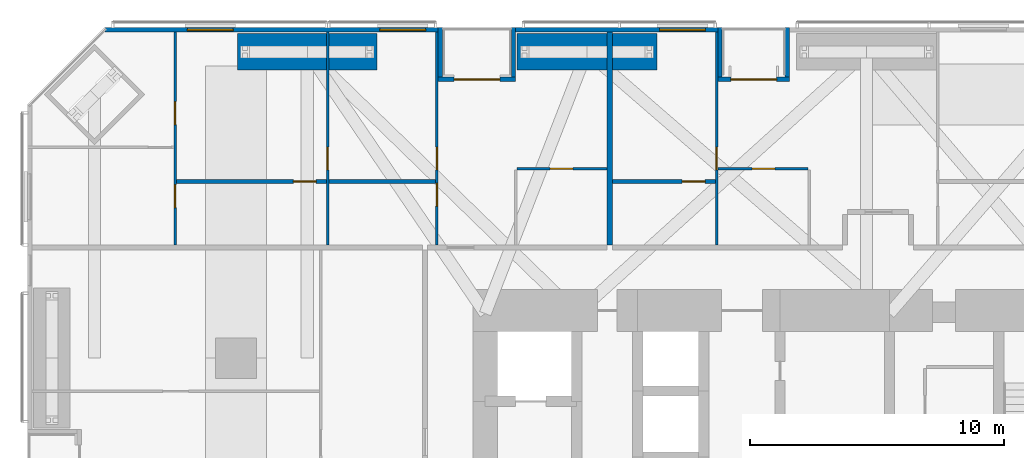
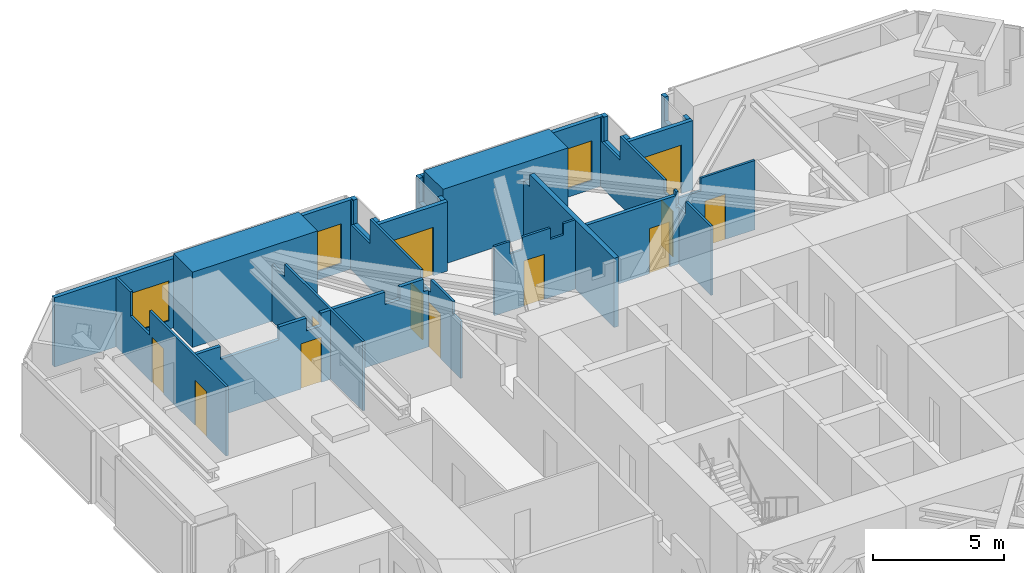
# One storey, part 20 of 22: 20 walls, 12 doors, 3 windows, 15 openings.
"""IFC4 building model written with IfcOpenShell, lengths in metres."""

from ifc_helpers import new_model, si_unit, direction, frame, frame_2d, origin, place, context, subcontext, project, spatial, polyline, rectangle, outline, extrude, material, layer, layer_set, constituent, constituent_set, type_object, element, fill, save


model = new_model("IFC4")

# Units and contexts
model_context = context("Model", 3, precision=1e-05, world=origin(), true_north=direction((0.0, 1.0)))
body_context = subcontext(model_context, "Body", "Model", "MODEL_VIEW")
ifc_project = project(units=[si_unit("LENGTHUNIT", "METRE"), si_unit("AREAUNIT", "SQUARE_METRE"), si_unit("VOLUMEUNIT", "CUBIC_METRE"), si_unit("PLANEANGLEUNIT", "RADIAN"), si_unit("MASSUNIT", "GRAM", prefix="KILO")], contexts=[model_context])

# Site, building, storey
site_placement = place(None, origin())
site = spatial("IfcSite", under=ifc_project, at=site_placement, CompositionType="ELEMENT")
building_placement = place(site_placement, origin())
building = spatial("IfcBuilding", under=site, at=building_placement, Name="Jalousie Tower", CompositionType="ELEMENT")
storey_placement = place(building_placement, frame((0.0, 0.0, 71.25)))
storey = spatial("IfcBuildingStorey", under=building, at=storey_placement, Name="L19", CompositionType="ELEMENT", Elevation=71.25)

# Wall, opening, door
ifc_material_1 = material(Name="Concrete block ASTM C90", Category="concrete")
ifc_constituent_1 = constituent(ifc_material_1, Name="Body")
ifc_material_2 = material(Name="Render")
ifc_constituent_2 = constituent(ifc_material_2, Name="Finish")
ifc_constituent_set_1 = constituent_set(constituents=[ifc_constituent_1, ifc_constituent_2])
wall_type_1 = type_object("IfcWallType", Name="BATHROOM WALL 150", PredefinedType="PLUMBINGWALL", material=ifc_constituent_set_1)
wall_1_placement = place(storey_placement, frame((7.85009765625, 31.949951171875, 0.0), z_axis=(0.0, 0.0, 1.0), x_axis=(1.0, 0.0, 0.0)))
wall_1 = element("IfcWall", 1, at=wall_1_placement, inside=storey, type_object=wall_type_1, Name="Bathroom Wall 150 L19", PredefinedType="PLUMBINGWALL", context=body_context, shape_type="SweptSolid", body=[
    extrude(outline(polyline([(0.0, 0.0), (5.89990234375, 0.0), (5.89990234375, 3.219970703125), (5.473876953125, 3.219970703125), (5.473876953125, 2.62060546875), (4.826171875, 2.62060546875), (4.826171875, 3.219970703125), (3.635009765625, 3.219970703125), (3.635009765625, 2.6201171875), (1.06494140625, 2.6201171875), (1.06494140625, 3.219970703125), (0.0, 3.219970703125), (0.0, 0.0)])), frame((0.0, 0.074951171875, 0.0), z_axis=(0.0, -1.0, 0.0), x_axis=(1.0, 0.0, 0.0)), (0.0, 0.0, 1.0), 0.14990234375),
])
opening_1_placement = place(wall_1_placement, frame((4.60009765625, 0.0, 0.0)))
opening_1 = element("IfcOpeningElement", 2, at=opening_1_placement, cuts=wall_1, Name="Opening D3", PredefinedType="OPENING", context=body_context, shape_type="SweptSolid", body=[
    extrude(rectangle(XDim=0.89990234375, YDim=2.10009765625, at=frame_2d((0.449951171875, 1.050048828125))), frame((0.0, 0.0849609375, 0.0), z_axis=(0.0, -1.0, 0.0), x_axis=(1.0, 0.0, 0.0)), (0.0, 0.0, 1.0), 0.169921875),
])
ifc_material_3 = material(Name="Timber door", Category="wood")
door_type_1 = type_object("IfcDoorType", Name="BATHROOM DOOR 900", OperationType="SINGLE_SWING_LEFT", PredefinedType="DOOR", material=ifc_material_3)
door_1_placement = place(opening_1_placement, frame((0.89990234375, 0.0, 0.0), z_axis=(0.0, 0.0, 1.0), x_axis=(-1.0, 0.0, 0.0)))
door_1 = element("IfcDoor", 3, at=door_1_placement, inside=storey, type_object=door_type_1, Name="Apartment 1903 bedroom 2 bathroom door", OperationType="SINGLE_SWING_LEFT", OverallHeight=2.10009765625, OverallWidth=0.89990234375, PredefinedType="DOOR", context=body_context, shape_type="SweptSolid", body=[
    extrude(rectangle(XDim=0.89990234375, YDim=2.10009765625, at=frame_2d((0.449951171875, 1.050048828125))), frame((0.0, 0.02490234375, 0.0), z_axis=(0.0, -1.0, 0.0), x_axis=(1.0, 0.0, 0.0)), (0.0, 0.0, 1.0), 0.050048828125),
])
fill(opening_1, door_1)

# Wall
wall_2_placement = place(storey_placement, frame((13.85009765625, 31.949951171875, 0.0), z_axis=(0.0, 0.0, 1.0), x_axis=(1.0, 0.0, 0.0)))
element("IfcWall", 4, at=wall_2_placement, inside=storey, type_object=wall_type_1, Name="Bathroom Wall 150 L19", PredefinedType="PLUMBINGWALL", context=body_context, shape_type="SweptSolid", body=[
    extrude(outline(polyline([(0.0, 0.0), (4.199951171875, 0.0), (4.199951171875, 2.640869140625), (3.982421875, 2.640869140625), (3.982421875, 3.219970703125), (2.95263671875, 3.219970703125), (2.95263671875, 2.640869140625), (2.279541015625, 2.640869140625), (2.279541015625, 3.219970703125), (0.0, 3.219970703125), (0.0, 0.0)])), frame((0.0, 0.074951171875, 0.0), z_axis=(0.0, -1.0, 0.0), x_axis=(1.0, 0.0, 0.0)), (0.0, 0.0, 1.0), 0.14990234375),
])

# Wall, opening, door
wall_3_placement = place(storey_placement, frame((25.0, 31.949951171875, 0.0), z_axis=(0.0, 0.0, 1.0), x_axis=(1.0, 0.0, 0.0)))
wall_3 = element("IfcWall", 5, at=wall_3_placement, inside=storey, type_object=wall_type_1, Name="Bathroom Wall 150 L19", PredefinedType="PLUMBINGWALL", context=body_context, shape_type="SweptSolid", body=[
    extrude(outline(polyline([(0.0, 0.0), (4.050048828125, 0.0), (4.050048828125, 2.640869140625), (3.919921875, 2.640869140625), (3.919921875, 3.219970703125), (0.0, 3.219970703125), (0.0, 0.0)])), frame((0.0, 0.074951171875, 0.0), z_axis=(0.0, -1.0, 0.0), x_axis=(1.0, 0.0, 0.0)), (0.0, 0.0, 1.0), 0.14990234375),
])
opening_2_placement = place(wall_3_placement, frame((2.75, 0.0, 0.0)))
opening_2 = element("IfcOpeningElement", 6, at=opening_2_placement, cuts=wall_3, Name="Opening D3", PredefinedType="OPENING", context=body_context, shape_type="SweptSolid", body=[
    extrude(rectangle(XDim=0.89990234375, YDim=2.10009765625, at=frame_2d((0.449951171875, 1.050048828125))), frame((0.0, 0.0849609375, 0.0), z_axis=(0.0, -1.0, 0.0), x_axis=(1.0, 0.0, 0.0)), (0.0, 0.0, 1.0), 0.169921875),
])
door_2_placement = place(opening_2_placement, frame((0.89990234375, 0.0, 0.0), z_axis=(0.0, 0.0, 1.0), x_axis=(-1.0, 0.0, 0.0)))
door_2 = element("IfcDoor", 7, at=door_2_placement, inside=storey, type_object=door_type_1, Name="Apartment 1904 bedroom 1 bathroom door", OperationType="SINGLE_SWING_LEFT", OverallHeight=2.10009765625, OverallWidth=0.89990234375, PredefinedType="DOOR", context=body_context, shape_type="SweptSolid", body=[
    extrude(rectangle(XDim=0.89990234375, YDim=2.10009765625, at=frame_2d((0.449951171875, 1.050048828125))), frame((0.0, 0.02490234375, 0.0), z_axis=(0.0, -1.0, 0.0), x_axis=(1.0, 0.0, 0.0)), (0.0, 0.0, 1.0), 0.050048828125),
])
fill(opening_2, door_2)

# Wall, opening, window
ifc_material_4 = material(Name="Concrete f'c 40 MPa", Category="concrete")
ifc_constituent_3 = constituent(ifc_material_4, Name="Body")
ifc_material_5 = material(Name="Render, pastel coral")
ifc_constituent_4 = constituent(ifc_material_5, Name="Finish")
ifc_constituent_set_2 = constituent_set(constituents=[ifc_constituent_3, ifc_constituent_4])
wall_type_2 = type_object("IfcWallType", Name="EXTERNAL WALL 175 CORAL RENDER", PredefinedType="SOLIDWALL", material=ifc_constituent_set_2)
wall_4_placement = place(storey_placement, frame((29.14990234375, 37.91259765625, 0.0), z_axis=(0.0, 0.0, 1.0), x_axis=(-1.0, 0.0, 0.0)))
wall_4 = element("IfcWall", 8, at=wall_4_placement, inside=storey, type_object=wall_type_2, Name="External Wall 175 Coral Render L19", PredefinedType="SOLIDWALL", context=body_context, shape_type="SweptSolid", body=[
    extrude(rectangle(XDim=7.949951171875, YDim=0.175048828125, at=frame_2d((3.97509765625, 0.0))), origin(), (0.0, 0.0, 1.0), 3.219970703125),
])
opening_3_placement = place(wall_4_placement, frame((0.489990234375, 0.0, 0.39990234375)))
opening_3 = element("IfcOpeningElement", 9, at=opening_3_placement, cuts=wall_4, Name="Opening W-BED185", PredefinedType="OPENING", context=body_context, shape_type="SweptSolid", body=[
    extrude(rectangle(XDim=1.800048828125, YDim=1.85009765625, at=frame_2d((0.89990234375, 0.925048828125))), frame((0.0, 0.097412109375, 0.0), z_axis=(0.0, -1.0, 0.0), x_axis=(1.0, 0.0, 0.0)), (0.0, 0.0, 1.0), 0.195068359375),
])
ifc_material_6 = material(Name="Aluminium frame, impact-rated glazing", Category="aluminium")
window_type = type_object("IfcWindowType", Name="WINDOW BED 1800x1850", PartitioningType="SINGLE_PANEL", PredefinedType="WINDOW", material=ifc_material_6)
window_1_placement = place(opening_3_placement, origin())
window_1 = element("IfcWindow", 10, at=window_1_placement, inside=storey, type_object=window_type, Name="Apartment 1904 bedroom 1 window", OverallHeight=1.85009765625, OverallWidth=1.800048828125, PartitioningType="SINGLE_PANEL", PredefinedType="WINDOW", context=body_context, shape_type="SweptSolid", body=[
    extrude(rectangle(XDim=1.800048828125, YDim=1.85009765625, at=frame_2d((0.89990234375, 0.925048828125))), frame((0.0, 0.030029296875, 0.0), z_axis=(0.0, -1.0, 0.0), x_axis=(1.0, 0.0, 0.0)), (0.0, 0.0, 1.0), 0.06005859375),
])
fill(opening_3, window_1)

# Wall, openings, windows
wall_5_placement = place(storey_placement, frame((18.14990234375, 37.91259765625, 0.0), z_axis=(0.0, 0.0, 1.0), x_axis=(-1.0, 0.0, 0.0)))
wall_5 = element("IfcWall", 11, at=wall_5_placement, inside=storey, type_object=wall_type_2, Name="External Wall 175 Coral Render L19", PredefinedType="SOLIDWALL", context=body_context, shape_type="SweptSolid", body=[
    extrude(rectangle(XDim=13.0986328125, YDim=0.175048828125, at=frame_2d((6.54931640625, 0.0))), origin(), (0.0, 0.0, 1.0), 3.219970703125),
])
opening_4_placement = place(wall_5_placement, frame((0.492431640625, 0.0, 0.39990234375)))
opening_4 = element("IfcOpeningElement", 12, at=opening_4_placement, cuts=wall_5, Name="Opening W-BED185", PredefinedType="OPENING", context=body_context, shape_type="SweptSolid", body=[
    extrude(rectangle(XDim=1.800048828125, YDim=1.85009765625, at=frame_2d((0.89990234375, 0.925048828125))), frame((0.0, 0.097412109375, 0.0), z_axis=(0.0, -1.0, 0.0), x_axis=(1.0, 0.0, 0.0)), (0.0, 0.0, 1.0), 0.195068359375),
])
opening_5_placement = place(wall_5_placement, frame((8.06494140625, 0.0, 0.39990234375)))
opening_5 = element("IfcOpeningElement", 13, at=opening_5_placement, cuts=wall_5, Name="Opening W-BED185", PredefinedType="OPENING", context=body_context, shape_type="SweptSolid", body=[
    extrude(rectangle(XDim=1.800048828125, YDim=1.85009765625, at=frame_2d((0.89990234375, 0.925048828125))), frame((0.0, 0.097412109375, 0.0), z_axis=(0.0, -1.0, 0.0), x_axis=(1.0, 0.0, 0.0)), (0.0, 0.0, 1.0), 0.195068359375),
])
window_2_placement = place(opening_4_placement, origin())
window_2 = element("IfcWindow", 14, at=window_2_placement, inside=storey, type_object=window_type, Name="Apartment 1903 bedroom 3 window", OverallHeight=1.85009765625, OverallWidth=1.800048828125, PartitioningType="SINGLE_PANEL", PredefinedType="WINDOW", context=body_context, shape_type="SweptSolid", body=[
    extrude(rectangle(XDim=1.800048828125, YDim=1.85009765625, at=frame_2d((0.89990234375, 0.925048828125))), frame((0.0, 0.030029296875, 0.0), z_axis=(0.0, -1.0, 0.0), x_axis=(1.0, 0.0, 0.0)), (0.0, 0.0, 1.0), 0.06005859375),
])
fill(opening_4, window_2)
window_3_placement = place(opening_5_placement, origin())
window_3 = element("IfcWindow", 15, at=window_3_placement, inside=storey, type_object=window_type, Name="Apartment 1903 bedroom 2 window", OverallHeight=1.85009765625, OverallWidth=1.800048828125, PartitioningType="SINGLE_PANEL", PredefinedType="WINDOW", context=body_context, shape_type="SweptSolid", body=[
    extrude(rectangle(XDim=1.800048828125, YDim=1.85009765625, at=frame_2d((0.89990234375, 0.925048828125))), frame((0.0, 0.030029296875, 0.0), z_axis=(0.0, -1.0, 0.0), x_axis=(1.0, 0.0, 0.0)), (0.0, 0.0, 1.0), 0.06005859375),
])
fill(opening_5, window_3)

# Wall, opening, door
wall_6_placement = place(storey_placement, frame((31.97509765625, 35.96240234375, 0.0), z_axis=(0.0, 0.0, 1.0), x_axis=(-1.0, 0.0, 0.0)))
wall_6 = element("IfcWall", 16, at=wall_6_placement, inside=storey, type_object=wall_type_2, Name="External Wall 175 Coral Render L19", PredefinedType="SOLIDWALL", context=body_context, shape_type="SweptSolid", body=[
    extrude(rectangle(XDim=2.8251953125, YDim=0.175048828125, at=frame_2d((1.41259765625, 0.0))), origin(), (0.0, 0.0, 1.0), 3.219970703125),
])
opening_6_placement = place(wall_6_placement, frame((0.512451171875, 0.0, 0.0)))
opening_6 = element("IfcOpeningElement", 17, at=opening_6_placement, cuts=wall_6, Name="Opening D-BAL22", PredefinedType="OPENING", context=body_context, shape_type="SweptSolid", body=[
    extrude(rectangle(XDim=1.800048828125, YDim=2.25, at=frame_2d((0.89990234375, 1.125))), frame((0.0, 0.097412109375, 0.0), z_axis=(0.0, -1.0, 0.0), x_axis=(1.0, 0.0, 0.0)), (0.0, 0.0, 1.0), 0.195068359375),
])
ifc_material_7 = material(Name="Aluminium frame, impact-rated glazing", Category="aluminium")
door_type_2 = type_object("IfcDoorType", Name="BALCONY DOOR 1800x2250", OperationType="SLIDING_TO_LEFT", PredefinedType="DOOR", material=ifc_material_7)
door_3_placement = place(opening_6_placement, origin())
door_3 = element("IfcDoor", 18, at=door_3_placement, inside=storey, type_object=door_type_2, Name="Apartment 1904 living and dining room loggia door", OperationType="SLIDING_TO_LEFT", OverallHeight=2.25, OverallWidth=1.800048828125, PredefinedType="DOOR", context=body_context, shape_type="SweptSolid", body=[
    extrude(rectangle(XDim=1.800048828125, YDim=2.25, at=frame_2d((0.89990234375, 1.125))), frame((0.0, 0.02490234375, 0.0), z_axis=(0.0, -1.0, 0.0), x_axis=(1.0, 0.0, 0.0)), (0.0, 0.0, 1.0), 0.050048828125),
])
fill(opening_6, door_3)

# Walls
for number, where, z_axis, x_axis, name in (
    (19, (31.887451171875, 38.0, 0.0), (0.0, 0.0, 1.0), (0.0, -1.0, 0.0), "External Wall 175 Coral Render L19"),
    (20, (29.237548828125, 38.0, 0.0), (0.0, 0.0, 1.0), (0.0, -1.0, 0.0), "External Wall 175 Coral Render L19"),
):
    element("IfcWall", number, at=place(storey_placement, frame(where, z_axis=z_axis, x_axis=x_axis)), inside=storey, type_object=wall_type_2, Name=name, PredefinedType="SOLIDWALL", context=body_context, shape_type="SweptSolid", body=[
        extrude(outline(polyline([(0.0, 0.0), (1.949951171875, 0.0), (1.949951171875, 3.219970703125), (1.64990234375, 3.219970703125), (1.64990234375, 2.10009765625), (0.25, 2.10009765625), (0.25, 3.219970703125), (0.0, 3.219970703125), (0.0, 0.0)])), frame((0.0, 0.08740234375, 0.0), z_axis=(0.0, -1.0, 0.0), x_axis=(1.0, 0.0, 0.0)), (0.0, 0.0, 1.0), 0.175048828125),
    ])

# Wall, opening, door
wall_7_placement = place(storey_placement, frame((21.199951171875, 35.96240234375, 0.0), z_axis=(0.0, 0.0, 1.0), x_axis=(-1.0, 0.0, 0.0)))
wall_7 = element("IfcWall", 21, at=wall_7_placement, inside=storey, type_object=wall_type_2, Name="External Wall 175 Coral Render L19", PredefinedType="SOLIDWALL", context=body_context, shape_type="SweptSolid", body=[
    extrude(rectangle(XDim=3.050048828125, YDim=0.175048828125, at=frame_2d((1.52490234375, 0.0))), origin(), (0.0, 0.0, 1.0), 3.219970703125),
])
opening_7_placement = place(wall_7_placement, frame((0.625, 0.0, 0.0)))
opening_7 = element("IfcOpeningElement", 22, at=opening_7_placement, cuts=wall_7, Name="Opening D-BAL22", PredefinedType="OPENING", context=body_context, shape_type="SweptSolid", body=[
    extrude(rectangle(XDim=1.800048828125, YDim=2.25, at=frame_2d((0.89990234375, 1.125))), frame((0.0, 0.097412109375, 0.0), z_axis=(0.0, -1.0, 0.0), x_axis=(1.0, 0.0, 0.0)), (0.0, 0.0, 1.0), 0.195068359375),
])
door_4_placement = place(opening_7_placement, origin())
door_4 = element("IfcDoor", 23, at=door_4_placement, inside=storey, type_object=door_type_2, Name="Apartment 1903 living and dining room loggia door", OperationType="SLIDING_TO_LEFT", OverallHeight=2.25, OverallWidth=1.800048828125, PredefinedType="DOOR", context=body_context, shape_type="SweptSolid", body=[
    extrude(rectangle(XDim=1.800048828125, YDim=2.25, at=frame_2d((0.89990234375, 1.125))), frame((0.0, 0.02490234375, 0.0), z_axis=(0.0, -1.0, 0.0), x_axis=(1.0, 0.0, 0.0)), (0.0, 0.0, 1.0), 0.050048828125),
])
fill(opening_7, door_4)

# Walls
for number, where, z_axis, x_axis, name in (
    (24, (21.112548828125, 38.0, 0.0), (0.0, 0.0, 1.0), (0.0, -1.0, 0.0), "External Wall 175 Coral Render L19"),
    (25, (18.237548828125, 38.0, 0.0), (0.0, 0.0, 1.0), (0.0, -1.0, 0.0), "External Wall 175 Coral Render L19"),
):
    element("IfcWall", number, at=place(storey_placement, frame(where, z_axis=z_axis, x_axis=x_axis)), inside=storey, type_object=wall_type_2, Name=name, PredefinedType="SOLIDWALL", context=body_context, shape_type="SweptSolid", body=[
        extrude(outline(polyline([(0.0, 0.0), (1.949951171875, 0.0), (1.949951171875, 3.219970703125), (1.64990234375, 3.219970703125), (1.64990234375, 2.10009765625), (0.25, 2.10009765625), (0.25, 3.219970703125), (0.0, 3.219970703125), (0.0, 0.0)])), frame((0.0, 0.08740234375, 0.0), z_axis=(0.0, -1.0, 0.0), x_axis=(1.0, 0.0, 0.0)), (0.0, 0.0, 1.0), 0.175048828125),
    ])

# Wall, openings, doors
ifc_material_8 = material(Name="Gypsum board", Category="gypsum")
ifc_constituent_5 = constituent(ifc_material_8, Name="Body")
ifc_material_9 = material(Name="Light-gauge steel studs ASTM A653 SS Grade 33", Category="steel")
ifc_constituent_6 = constituent(ifc_material_9, Name="Framing")
ifc_constituent_set_3 = constituent_set(constituents=[ifc_constituent_5, ifc_constituent_6])
wall_type_3 = type_object("IfcWallType", Name="PARTITION 100", PredefinedType="PARTITIONING", material=ifc_constituent_set_3)
wall_8_placement = place(storey_placement, frame((7.800048828125, 37.824951171875, 0.0), z_axis=(0.0, 0.0, 1.0), x_axis=(0.0, -1.0, 0.0)))
wall_8 = element("IfcWall", 26, at=wall_8_placement, inside=storey, type_object=wall_type_3, Name="Partition 100 L19", PredefinedType="PARTITIONING", context=body_context, shape_type="SweptSolid", body=[
    extrude(outline(polyline([(0.0, 0.0), (8.375, 0.0), (8.375, 3.219970703125), (2.543701171875, 3.219970703125), (2.543701171875, 2.10009765625), (1.095703125, 2.10009765625), (1.095703125, 3.219970703125), (0.0, 3.219970703125), (0.0, 0.0)])), frame((0.0, 0.050048828125, 0.0), z_axis=(0.0, -1.0, 0.0), x_axis=(1.0, 0.0, 0.0)), (0.0, 0.0, 1.0), 0.10009765625),
])
opening_8_placement = place(wall_8_placement, frame((2.736328125, 0.0, 0.0)))
opening_8 = element("IfcOpeningElement", 27, at=opening_8_placement, cuts=wall_8, Name="Opening D2", PredefinedType="OPENING", context=body_context, shape_type="SweptSolid", body=[
    extrude(rectangle(XDim=0.89990234375, YDim=2.10009765625, at=frame_2d((0.449951171875, 1.050048828125))), frame((0.0, 0.06005859375, 0.0), z_axis=(0.0, -1.0, 0.0), x_axis=(1.0, 0.0, 0.0)), (0.0, 0.0, 1.0), 0.1201171875),
])
opening_9_placement = place(wall_8_placement, frame((6.005615234375, 0.0, 0.0)))
opening_9 = element("IfcOpeningElement", 28, at=opening_9_placement, cuts=wall_8, Name="Opening D3", PredefinedType="OPENING", context=body_context, shape_type="SweptSolid", body=[
    extrude(rectangle(XDim=0.89990234375, YDim=2.10009765625, at=frame_2d((0.449951171875, 1.050048828125))), frame((0.0, 0.06005859375, 0.0), z_axis=(0.0, -1.0, 0.0), x_axis=(1.0, 0.0, 0.0)), (0.0, 0.0, 1.0), 0.1201171875),
])
door_5_placement = place(opening_9_placement, origin())
door_5 = element("IfcDoor", 29, at=door_5_placement, inside=storey, type_object=door_type_1, Name="Apartment 1903 bedroom 1 bathroom door", OperationType="SINGLE_SWING_LEFT", OverallHeight=2.10009765625, OverallWidth=0.89990234375, PredefinedType="DOOR", context=body_context, shape_type="SweptSolid", body=[
    extrude(rectangle(XDim=0.89990234375, YDim=2.10009765625, at=frame_2d((0.449951171875, 1.050048828125))), frame((0.0, 0.02490234375, 0.0), z_axis=(0.0, -1.0, 0.0), x_axis=(1.0, 0.0, 0.0)), (0.0, 0.0, 1.0), 0.050048828125),
])
fill(opening_9, door_5)
ifc_material_10 = material(Name="Timber door", Category="wood")
door_type_3 = type_object("IfcDoorType", Name="BEDROOM DOOR 900", OperationType="SINGLE_SWING_LEFT", PredefinedType="DOOR", material=ifc_material_10)
door_6_placement = place(opening_8_placement, origin())
door_6 = element("IfcDoor", 30, at=door_6_placement, inside=storey, type_object=door_type_3, Name="Apartment 1903 bedroom 1 door", OperationType="SINGLE_SWING_RIGHT", OverallHeight=2.10009765625, OverallWidth=0.89990234375, PredefinedType="DOOR", context=body_context, shape_type="SweptSolid", body=[
    extrude(rectangle(XDim=0.89990234375, YDim=2.10009765625, at=frame_2d((0.449951171875, 1.050048828125))), frame((0.0, 0.02490234375, 0.0), z_axis=(0.0, -1.0, 0.0), x_axis=(1.0, 0.0, 0.0)), (0.0, 0.0, 1.0), 0.050048828125),
])
fill(opening_8, door_6)

# Wall, opening, door
wall_9_placement = place(storey_placement, frame((13.800048828125, 37.824951171875, 0.0), z_axis=(0.0, 0.0, 1.0), x_axis=(0.0, -1.0, 0.0)))
wall_9 = element("IfcWall", 31, at=wall_9_placement, inside=storey, type_object=wall_type_3, Name="Partition 100 L19", PredefinedType="PARTITIONING", context=body_context, shape_type="SweptSolid", body=[
    extrude(outline(polyline([(8.375, 0.0), (8.375, 3.219970703125), (2.44580078125, 3.219970703125), (2.44580078125, 2.640869140625), (1.485107421875, 2.640869140625), (1.485107421875, 2.3193359375), (1.47509765625, 2.3193359375), (1.47509765625, 2.10009765625), (1.021240234375, 2.10009765625), (1.021240234375, 1.31982421875), (0.52880859375, 1.31982421875), (0.52880859375, 2.10009765625), (0.074951171875, 2.10009765625), (0.074951171875, 2.3193359375), (0.0, 2.3193359375), (0.0, 0.0), (8.375, 0.0)]), holes=[polyline([(0.52880859375, 0.177001953125), (0.52880859375, 0.97998046875), (1.021240234375, 0.97998046875), (1.021240234375, 0.177001953125), (0.52880859375, 0.177001953125)])]), frame((0.0, 0.050048828125, 0.0), z_axis=(0.0, -1.0, 0.0), x_axis=(1.0, 0.0, 0.0)), (0.0, 0.0, 1.0), 0.10009765625),
])
opening_10_placement = place(wall_9_placement, frame((4.52490234375, 0.0, 0.0)))
opening_10 = element("IfcOpeningElement", 32, at=opening_10_placement, cuts=wall_9, Name="Opening D2", PredefinedType="OPENING", context=body_context, shape_type="SweptSolid", body=[
    extrude(rectangle(XDim=0.89990234375, YDim=2.10009765625, at=frame_2d((0.449951171875, 1.050048828125))), frame((0.0, 0.06005859375, 0.0), z_axis=(0.0, -1.0, 0.0), x_axis=(1.0, 0.0, 0.0)), (0.0, 0.0, 1.0), 0.1201171875),
])
door_7_placement = place(opening_10_placement, frame((0.89990234375, 0.0, 0.0), z_axis=(0.0, 0.0, 1.0), x_axis=(-1.0, 0.0, 0.0)))
door_7 = element("IfcDoor", 33, at=door_7_placement, inside=storey, type_object=door_type_3, Name="Apartment 1903 bedroom 2 door", OperationType="SINGLE_SWING_LEFT", OverallHeight=2.10009765625, OverallWidth=0.89990234375, PredefinedType="DOOR", context=body_context, shape_type="SweptSolid", body=[
    extrude(rectangle(XDim=0.89990234375, YDim=2.10009765625, at=frame_2d((0.449951171875, 1.050048828125))), frame((0.0, 0.02490234375, 0.0), z_axis=(0.0, -1.0, 0.0), x_axis=(1.0, 0.0, 0.0)), (0.0, 0.0, 1.0), 0.050048828125),
])
fill(opening_10, door_7)

# Wall, openings, doors
wall_10_placement = place(storey_placement, frame((18.10009765625, 37.824951171875, 0.0), z_axis=(0.0, 0.0, 1.0), x_axis=(0.0, -1.0, 0.0)))
wall_10 = element("IfcWall", 34, at=wall_10_placement, inside=storey, type_object=wall_type_3, Name="Partition 100 L19", PredefinedType="PARTITIONING", context=body_context, shape_type="SweptSolid", body=[
    extrude(outline(polyline([(0.0, 0.0), (8.375, 0.0), (8.375, 2.640869140625), (7.785400390625, 2.640869140625), (7.785400390625, 3.219970703125), (6.108642578125, 3.219970703125), (6.108642578125, 2.640869140625), (5.352783203125, 2.640869140625), (5.352783203125, 3.219970703125), (1.47509765625, 3.219970703125), (1.47509765625, 2.10009765625), (0.074951171875, 2.10009765625), (0.074951171875, 3.219970703125), (0.0, 3.219970703125), (0.0, 0.0)])), frame((0.0, 0.050048828125, 0.0), z_axis=(0.0, -1.0, 0.0), x_axis=(1.0, 0.0, 0.0)), (0.0, 0.0, 1.0), 0.10009765625),
])
opening_11_placement = place(wall_10_placement, frame((4.52490234375, 0.0, 0.0)))
opening_11 = element("IfcOpeningElement", 35, at=opening_11_placement, cuts=wall_10, Name="Opening D2", PredefinedType="OPENING", context=body_context, shape_type="SweptSolid", body=[
    extrude(rectangle(XDim=0.89990234375, YDim=2.10009765625, at=frame_2d((0.449951171875, 1.050048828125))), frame((0.0, 0.06005859375, 0.0), z_axis=(0.0, -1.0, 0.0), x_axis=(1.0, 0.0, 0.0)), (0.0, 0.0, 1.0), 0.1201171875),
])
opening_12_placement = place(wall_10_placement, frame((5.949951171875, 0.0, 0.0)))
opening_12 = element("IfcOpeningElement", 36, at=opening_12_placement, cuts=wall_10, Name="Opening D7", PredefinedType="OPENING", context=body_context, shape_type="SweptSolid", body=[
    extrude(rectangle(XDim=0.89990234375, YDim=2.10009765625, at=frame_2d((0.449951171875, 1.050048828125))), frame((0.0, 0.06005859375, 0.0), z_axis=(0.0, -1.0, 0.0), x_axis=(1.0, 0.0, 0.0)), (0.0, 0.0, 1.0), 0.1201171875),
])
door_8_placement = place(opening_11_placement, frame((0.89990234375, 0.0, 0.0), z_axis=(0.0, 0.0, 1.0), x_axis=(-1.0, 0.0, 0.0)))
door_8 = element("IfcDoor", 37, at=door_8_placement, inside=storey, type_object=door_type_3, Name="Apartment 1903 bedroom 3 door", OperationType="SINGLE_SWING_LEFT", OverallHeight=2.10009765625, OverallWidth=0.89990234375, PredefinedType="DOOR", context=body_context, shape_type="SweptSolid", body=[
    extrude(rectangle(XDim=0.89990234375, YDim=2.10009765625, at=frame_2d((0.449951171875, 1.050048828125))), frame((0.0, 0.02490234375, 0.0), z_axis=(0.0, -1.0, 0.0), x_axis=(1.0, 0.0, 0.0)), (0.0, 0.0, 1.0), 0.050048828125),
])
fill(opening_11, door_8)
ifc_material_11 = material(Name="Timber door", Category="wood")
door_type_4 = type_object("IfcDoorType", Name="INTERNAL DOOR 900", OperationType="SINGLE_SWING_LEFT", PredefinedType="DOOR", material=ifc_material_11)
door_9_placement = place(opening_12_placement, frame((0.89990234375, 0.0, 0.0), z_axis=(0.0, 0.0, 1.0), x_axis=(-1.0, 0.0, 0.0)))
door_9 = element("IfcDoor", 38, at=door_9_placement, inside=storey, type_object=door_type_4, Name="Apartment 1903 bathroom door", OperationType="SINGLE_SWING_RIGHT", OverallHeight=2.10009765625, OverallWidth=0.89990234375, PredefinedType="DOOR", context=body_context, shape_type="SweptSolid", body=[
    extrude(rectangle(XDim=0.89990234375, YDim=2.10009765625, at=frame_2d((0.449951171875, 1.050048828125))), frame((0.0, 0.02490234375, 0.0), z_axis=(0.0, -1.0, 0.0), x_axis=(1.0, 0.0, 0.0)), (0.0, 0.0, 1.0), 0.050048828125),
])
fill(opening_12, door_9)

# Wall, opening, door
wall_11_placement = place(storey_placement, frame((21.25, 32.449951171875, 0.0), z_axis=(0.0, 0.0, 1.0), x_axis=(1.0, 0.0, 0.0)))
wall_11 = element("IfcWall", 39, at=wall_11_placement, inside=storey, type_object=wall_type_3, Name="Partition 100 L19", PredefinedType="PARTITIONING", context=body_context, shape_type="SweptSolid", body=[
    extrude(outline(polyline([(0.0, 0.0), (3.550048828125, 0.0), (3.550048828125, 3.219970703125), (3.03955078125, 3.219970703125), (3.03955078125, 2.694091796875), (2.46044921875, 2.694091796875), (2.46044921875, 3.219970703125), (1.236328125, 3.219970703125), (1.236328125, 2.640869140625), (0.69091796875, 2.640869140625), (0.69091796875, 3.219970703125), (0.0, 3.219970703125), (0.0, 0.0)])), frame((0.0, 0.050048828125, 0.0), z_axis=(0.0, -1.0, 0.0), x_axis=(1.0, 0.0, 0.0)), (0.0, 0.0, 1.0), 0.10009765625),
])
opening_13_placement = place(wall_11_placement, frame((1.300048828125, 0.0, 0.0)))
opening_13 = element("IfcOpeningElement", 40, at=opening_13_placement, cuts=wall_11, Name="Opening D7", PredefinedType="OPENING", context=body_context, shape_type="SweptSolid", body=[
    extrude(rectangle(XDim=0.89990234375, YDim=2.10009765625, at=frame_2d((0.449951171875, 1.050048828125))), frame((0.0, 0.06005859375, 0.0), z_axis=(0.0, -1.0, 0.0), x_axis=(1.0, 0.0, 0.0)), (0.0, 0.0, 1.0), 0.1201171875),
])
door_10_placement = place(opening_13_placement, origin())
door_10 = element("IfcDoor", 41, at=door_10_placement, inside=storey, type_object=door_type_4, Name="Apartment 1903 kitchen door", OperationType="SINGLE_SWING_RIGHT", OverallHeight=2.10009765625, OverallWidth=0.89990234375, PredefinedType="DOOR", context=body_context, shape_type="SweptSolid", body=[
    extrude(rectangle(XDim=0.89990234375, YDim=2.10009765625, at=frame_2d((0.449951171875, 1.050048828125))), frame((0.0, 0.02490234375, 0.0), z_axis=(0.0, -1.0, 0.0), x_axis=(1.0, 0.0, 0.0)), (0.0, 0.0, 1.0), 0.050048828125),
])
fill(opening_13, door_10)

wall_12_placement = place(storey_placement, frame((29.10009765625, 37.824951171875, 0.0), z_axis=(0.0, 0.0, 1.0), x_axis=(0.0, -1.0, 0.0)))
wall_12 = element("IfcWall", 42, at=wall_12_placement, inside=storey, type_object=wall_type_3, Name="Partition 100 L19", PredefinedType="PARTITIONING", context=body_context, shape_type="SweptSolid", body=[
    extrude(outline(polyline([(0.0, 0.0), (8.375, 0.0), (8.375, 3.219970703125), (6.46923828125, 3.219970703125), (6.46923828125, 2.640869140625), (5.7421875, 2.640869140625), (5.7421875, 3.219970703125), (5.544921875, 3.219970703125), (5.544921875, 2.640869140625), (4.83349609375, 2.640869140625), (4.83349609375, 3.219970703125), (1.47509765625, 3.219970703125), (1.47509765625, 2.10009765625), (0.074951171875, 2.10009765625), (0.074951171875, 3.219970703125), (0.0, 3.219970703125), (0.0, 0.0)])), frame((0.0, 0.050048828125, 0.0), z_axis=(0.0, -1.0, 0.0), x_axis=(1.0, 0.0, 0.0)), (0.0, 0.0, 1.0), 0.10009765625),
])
opening_14_placement = place(wall_12_placement, frame((4.52490234375, 0.0, 0.0)))
opening_14 = element("IfcOpeningElement", 43, at=opening_14_placement, cuts=wall_12, Name="Opening D2", PredefinedType="OPENING", context=body_context, shape_type="SweptSolid", body=[
    extrude(rectangle(XDim=0.89990234375, YDim=2.10009765625, at=frame_2d((0.449951171875, 1.050048828125))), frame((0.0, 0.06005859375, 0.0), z_axis=(0.0, -1.0, 0.0), x_axis=(1.0, 0.0, 0.0)), (0.0, 0.0, 1.0), 0.1201171875),
])
door_11_placement = place(opening_14_placement, frame((0.89990234375, 0.0, 0.0), z_axis=(0.0, 0.0, 1.0), x_axis=(-1.0, 0.0, 0.0)))
door_11 = element("IfcDoor", 44, at=door_11_placement, inside=storey, type_object=door_type_3, Name="Apartment 1904 bedroom 1 door", OperationType="SINGLE_SWING_LEFT", OverallHeight=2.10009765625, OverallWidth=0.89990234375, PredefinedType="DOOR", context=body_context, shape_type="SweptSolid", body=[
    extrude(rectangle(XDim=0.89990234375, YDim=2.10009765625, at=frame_2d((0.449951171875, 1.050048828125))), frame((0.0, 0.02490234375, 0.0), z_axis=(0.0, -1.0, 0.0), x_axis=(1.0, 0.0, 0.0)), (0.0, 0.0, 1.0), 0.050048828125),
])
fill(opening_14, door_11)

wall_13_placement = place(storey_placement, frame((29.14990234375, 32.449951171875, 0.0), z_axis=(0.0, 0.0, 1.0), x_axis=(1.0, 0.0, 0.0)))
wall_13 = element("IfcWall", 45, at=wall_13_placement, inside=storey, type_object=wall_type_3, Name="Partition 100 L19", PredefinedType="PARTITIONING", context=body_context, shape_type="SweptSolid", body=[
    extrude(outline(polyline([(0.0, 0.0), (3.550048828125, 0.0), (3.550048828125, 3.219970703125), (1.16650390625, 3.219970703125), (1.16650390625, 2.640869140625), (0.0, 2.640869140625), (0.0, 0.0)])), frame((0.0, 0.050048828125, 0.0), z_axis=(0.0, -1.0, 0.0), x_axis=(1.0, 0.0, 0.0)), (0.0, 0.0, 1.0), 0.10009765625),
])
opening_15_placement = place(wall_13_placement, frame((1.35009765625, 0.0, 0.0)))
opening_15 = element("IfcOpeningElement", 46, at=opening_15_placement, cuts=wall_13, Name="Opening D7", PredefinedType="OPENING", context=body_context, shape_type="SweptSolid", body=[
    extrude(rectangle(XDim=0.89990234375, YDim=2.10009765625, at=frame_2d((0.449951171875, 1.050048828125))), frame((0.0, 0.06005859375, 0.0), z_axis=(0.0, -1.0, 0.0), x_axis=(1.0, 0.0, 0.0)), (0.0, 0.0, 1.0), 0.1201171875),
])
door_12_placement = place(opening_15_placement, origin())
door_12 = element("IfcDoor", 47, at=door_12_placement, inside=storey, type_object=door_type_4, Name="Apartment 1904 kitchen door", OperationType="SINGLE_SWING_LEFT", OverallHeight=2.10009765625, OverallWidth=0.89990234375, PredefinedType="DOOR", context=body_context, shape_type="SweptSolid", body=[
    extrude(rectangle(XDim=0.89990234375, YDim=2.10009765625, at=frame_2d((0.449951171875, 1.050048828125))), frame((0.0, 0.02490234375, 0.0), z_axis=(0.0, -1.0, 0.0), x_axis=(1.0, 0.0, 0.0)), (0.0, 0.0, 1.0), 0.050048828125),
])
fill(opening_15, door_12)

# Walls
ifc_material_12 = material(Name="Concrete block ASTM C90", Category="concrete")
ifc_constituent_7 = constituent(ifc_material_12, Name="Body")
ifc_material_13 = material(Name="Render")
ifc_constituent_8 = constituent(ifc_material_13, Name="Finish")
ifc_constituent_set_4 = constituent_set(constituents=[ifc_constituent_7, ifc_constituent_8])
wall_type_4 = type_object("IfcWallType", Name="PARTY WALL 200", PredefinedType="PARTITIONING", material=ifc_constituent_set_4)
wall_14_placement = place(storey_placement, frame((24.89990234375, 37.824951171875, 0.0), z_axis=(0.0, 0.0, 1.0), x_axis=(0.0, -1.0, 0.0)))
element("IfcWall", 48, at=wall_14_placement, inside=storey, type_object=wall_type_4, Name="Party Wall 200 L19", PredefinedType="PARTITIONING", context=body_context, shape_type="SweptSolid", body=[
    extrude(outline(polyline([(8.375, 0.0), (8.375, 3.219970703125), (1.952880859375, 3.219970703125), (1.952880859375, 2.640869140625), (1.47509765625, 2.640869140625), (1.47509765625, 2.10009765625), (1.021240234375, 2.10009765625), (1.021240234375, 1.355712890625), (0.52880859375, 1.355712890625), (0.52880859375, 2.10009765625), (0.074951171875, 2.10009765625), (0.074951171875, 3.219970703125), (0.0, 3.219970703125), (0.0, 0.0), (0.52880859375, 0.0), (0.52880859375, 0.9443359375), (1.021240234375, 0.9443359375), (1.021240234375, 0.0), (8.375, 0.0)])), frame((0.0, 0.10009765625, 0.0), z_axis=(0.0, -1.0, 0.0), x_axis=(1.0, 0.0, 0.0)), (0.0, 0.0, 1.0), 0.199951171875),
])
ifc_material_14 = material(Name="Concrete f'c 120 MPa", Category="concrete")
ifc_layer = layer(ifc_material_14, 1.449951171875)
ifc_layer_set = layer_set([ifc_layer], Name="Concrete f'c 120 MPa")
wall_type_5 = type_object("IfcWallType", Name="RC WALL PIER 1450", PredefinedType="SHEAR", material=ifc_layer_set)
for number, where, z_axis, x_axis, name in (
    (49, (21.25, 37.050048828125, 0.0), (0.0, 0.0, 1.0), (1.0, 0.0, 0.0), "Wall pier 10 L19"),
    (50, (10.25, 37.050048828125, 0.0), (0.0, 0.0, 1.0), (1.0, 0.0, 0.0), "Wall pier 11 L19"),
):
    element("IfcWall", number, at=place(storey_placement, frame(where, z_axis=z_axis, x_axis=x_axis)), inside=storey, type_object=wall_type_5, Name=name, PredefinedType="SHEAR", context=body_context, shape_type="SweptSolid", body=[
        extrude(rectangle(XDim=5.5, YDim=1.449951171875, at=frame_2d((2.75, 0.0))), origin(), (0.0, 0.0, 1.0), 3.5),
    ])

save(model, "model.ifc")
